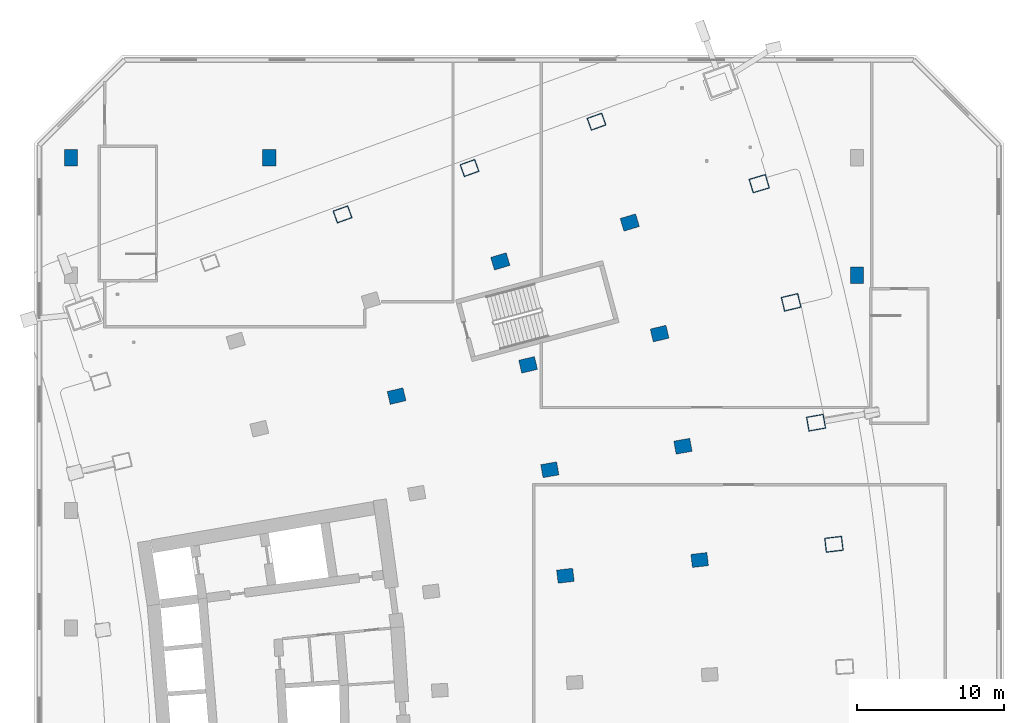
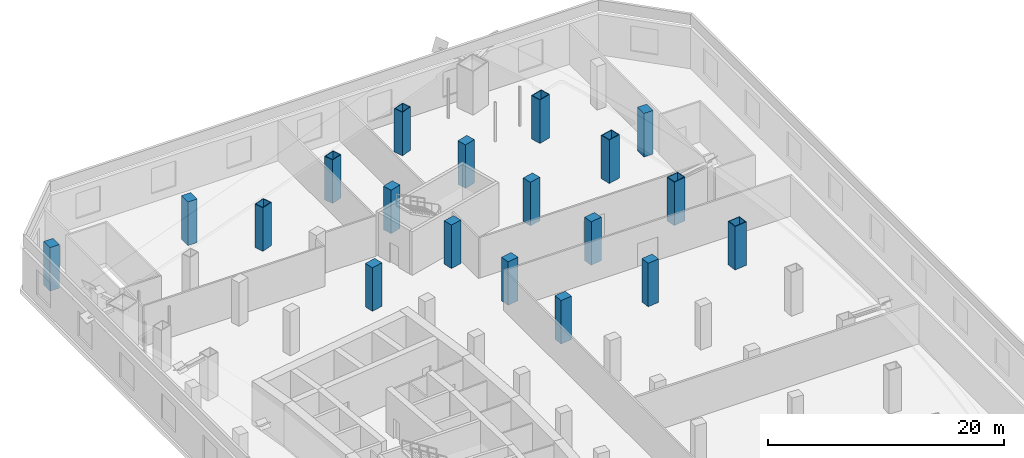
# One storey, part 7 of 19: 19 columns.
"""IFC4 building model written with IfcOpenShell, lengths in metres."""

from ifc_helpers import new_model, si_unit, direction, frame, origin, origin_2d, place, context, subcontext, project, spatial, rectangle, hollow_rectangle, extrude, material, material_profile, profile_set, type_object, element, save


model = new_model("IFC4")

# Units and contexts
model_context = context("Model", 3, precision=1e-05, world=origin(), true_north=direction((0.0, 1.0)))
body_context = subcontext(model_context, "Body", "Model", "MODEL_VIEW")
ifc_project = project(units=[si_unit("LENGTHUNIT", "METRE"), si_unit("AREAUNIT", "SQUARE_METRE"), si_unit("VOLUMEUNIT", "CUBIC_METRE"), si_unit("PLANEANGLEUNIT", "RADIAN"), si_unit("MASSUNIT", "GRAM", prefix="KILO")], contexts=[model_context])

# Site, building, storey
site_placement = place(None, origin())
site = spatial("IfcSite", under=ifc_project, at=site_placement, CompositionType="ELEMENT")
building_placement = place(site_placement, origin())
building = spatial("IfcBuilding", under=site, at=building_placement, Name="Alderwake Tower", CompositionType="ELEMENT")
storey_placement = place(building_placement, frame((0.0, 0.0, 27.5)))
storey = spatial("IfcBuildingStorey", under=building, at=storey_placement, Name="L05", CompositionType="ELEMENT", Elevation=27.5)

# Columns
ifc_material_1 = material(Name="Steel ASTM A572 Grade 50 concrete filled C70/85", Category="concrete")
ifc_material_profile_1 = material_profile(ifc_material_1, hollow_rectangle(XDim=0.89990234375, YDim=1.10009765625, WallThickness=0.06005859375, at=origin_2d()), Name="BOX 1100X900X60")
ifc_profile_set_1 = profile_set([ifc_material_profile_1], Name="Steel ASTM A572 Grade 50 concrete filled C70/85")
column_type_1 = type_object("IfcColumnType", Name="End column Z1", PredefinedType="COLUMN", material=ifc_profile_set_1)
for number, where, z_axis, x_axis, name in (
    (1, (28.983642578125, 100.143310546875, 0.0), (0.0, 0.0, 1.0), (-0.338026774049, 0.941136493834, 0.0), "Column R13-C2"),
    (2, (37.6259765625, 103.298095703125, 0.0), (0.0, 0.0, 1.0), (-0.338384834858, 0.941007812687, 0.0), "Column R13-C3"),
    (3, (46.268310546875, 106.452880859375, 0.0), (0.0, 0.0, 1.0), (-0.338695224082, 0.940896139425, 0.0), "Column R13-C4"),
):
    element("IfcColumn", number, at=place(storey_placement, frame(where, z_axis=z_axis, x_axis=x_axis)), inside=storey, type_object=column_type_1, Name=name, PredefinedType="COLUMN", context=body_context, shape_type="SweptSolid", body=[
        extrude(hollow_rectangle(XDim=0.89990234375, YDim=1.10009765625, WallThickness=0.06005859375, at=origin_2d()), origin(), (0.0, 0.0, 1.0), 4.5),
    ])
ifc_material_2 = material(Name="Concrete C70/85", Category="concrete")
ifc_material_profile_2 = material_profile(ifc_material_2, rectangle(XDim=0.89990234375, YDim=1.10009765625, at=origin_2d()), Name="RC 1100X900")
ifc_profile_set_2 = profile_set([ifc_material_profile_2], Name="Concrete C70/85")
column_type_2 = type_object("IfcColumnType", Name="Interior column Z1", PredefinedType="COLUMN", material=ifc_profile_set_2)
for number, where, z_axis, x_axis, name in (
    (4, (44.150390625, 75.55029296875, 0.0), (0.0, 0.0, 1.0), (-0.116402054316, 0.993202175668, 0.0), "Column R09-C3"),
    (5, (53.28759765625, 76.62109375, 0.0), (0.0, 0.0, 1.0), (-0.116402054316, 0.993202175668, 0.0), "Column R09-C4"),
    (6, (43.0908203125, 82.763427734375, 0.0), (0.0, 0.0, 1.0), (-0.174108800747, 0.984726421654, 0.0), "Column R10-C3"),
    (7, (52.150390625, 84.365234375, 0.0), (0.0, 0.0, 1.0), (-0.174108800747, 0.984726421654, 0.0), "Column R10-C4"),
    (8, (32.661865234375, 87.775390625, 0.0), (0.0, 0.0, 1.0), (-0.231221547198, 0.972901123502, 0.0), "Column R11-C2"),
    (9, (41.612548828125, 89.902587890625, 0.0), (0.0, 0.0, 1.0), (-0.231221547198, 0.972901123502, 0.0), "Column R11-C3"),
    (10, (50.563232421875, 92.030029296875, 0.0), (0.0, 0.0, 1.0), (-0.231221547198, 0.972901123502, 0.0), "Column R11-C4"),
    (11, (39.720703125, 96.943603515625, 0.0), (0.0, 0.0, 1.0), (-0.287549418125, 0.957765802342, 0.0), "Column R12-C3"),
    (12, (48.5322265625, 99.589111328125, 0.0), (0.0, 0.0, 1.0), (-0.287549418125, 0.957765802342, 0.0), "Column R12-C4"),
):
    element("IfcColumn", number, at=place(storey_placement, frame(where, z_axis=z_axis, x_axis=x_axis)), inside=storey, type_object=column_type_2, Name=name, PredefinedType="COLUMN", context=body_context, shape_type="SweptSolid", body=[
        extrude(rectangle(XDim=0.89990234375, YDim=1.10009765625, at=origin_2d()), origin(), (0.0, 0.0, 1.0), 4.5),
    ])
ifc_material_3 = material(Name="Steel ASTM A572 Grade 50 concrete filled C70/85", Category="concrete")
ifc_material_profile_3 = material_profile(ifc_material_3, hollow_rectangle(XDim=1.0, YDim=1.199951171875, WallThickness=0.06005859375, at=origin_2d()), Name="BOX 1200X1000X60")
ifc_profile_set_3 = profile_set([ifc_material_profile_3], Name="Steel ASTM A572 Grade 50 concrete filled C70/85")
column_type_3 = type_object("IfcColumnType", Name="Perimeter column Z1", PredefinedType="COLUMN", material=ifc_profile_set_3)
for number, where, z_axis, x_axis, name in (
    (13, (62.42529296875, 77.692138671875, 0.0), (0.0, 0.0, 1.0), (-0.116402054316, 0.993202175668, 0.0), "Column R09-C5"),
    (14, (61.209716796875, 85.967041015625, 0.0), (0.0, 0.0, 1.0), (-0.174108800747, 0.984726421654, 0.0), "Column R10-C5"),
    (15, (59.513916015625, 94.1572265625, 0.0), (0.0, 0.0, 1.0), (-0.231221547198, 0.972901123502, 0.0), "Column R11-C5"),
    (16, (57.343505859375, 102.234619140625, 0.0), (0.0, 0.0, 1.0), (-0.287549418125, 0.957765802342, 0.0), "Column R12-C5"),
):
    element("IfcColumn", number, at=place(storey_placement, frame(where, z_axis=z_axis, x_axis=x_axis)), inside=storey, type_object=column_type_3, Name=name, PredefinedType="COLUMN", context=body_context, shape_type="SweptSolid", body=[
        extrude(hollow_rectangle(XDim=1.0, YDim=1.199951171875, WallThickness=0.06005859375, at=origin_2d()), origin(), (0.0, 0.0, 1.0), 4.5),
    ])
ifc_material_4 = material(Name="Concrete C70/85", Category="concrete")
ifc_material_profile_4 = material_profile(ifc_material_4, rectangle(XDim=0.89990234375, YDim=1.10009765625, at=origin_2d()), Name="RC 1100X900")
ifc_profile_set_4 = profile_set([ifc_material_profile_4], Name="Concrete C70/85")
column_type_4 = type_object("IfcColumnType", Name="Podium column", PredefinedType="COLUMN", material=ifc_profile_set_4)
for number, where, z_axis, x_axis, name in (
    (17, (10.5, 104.0, 0.0), (0.0, 0.0, 1.0), (1.0, 0.0, 0.0), "Column XW-YN"),
    (18, (24.0, 104.0, 0.0), (0.0, 0.0, 1.0), (1.0, 0.0, 0.0), "Column X04-YN"),
    (19, (64.0, 96.0, 0.0), (0.0, 0.0, 1.0), (1.0, 0.0, 0.0), "Column X09-YM"),
):
    element("IfcColumn", number, at=place(storey_placement, frame(where, z_axis=z_axis, x_axis=x_axis)), inside=storey, type_object=column_type_4, Name=name, PredefinedType="COLUMN", context=body_context, shape_type="SweptSolid", body=[
        extrude(rectangle(XDim=0.89990234375, YDim=1.10009765625, at=origin_2d()), origin(), (0.0, 0.0, 1.0), 4.5),
    ])

save(model, "model.ifc")
